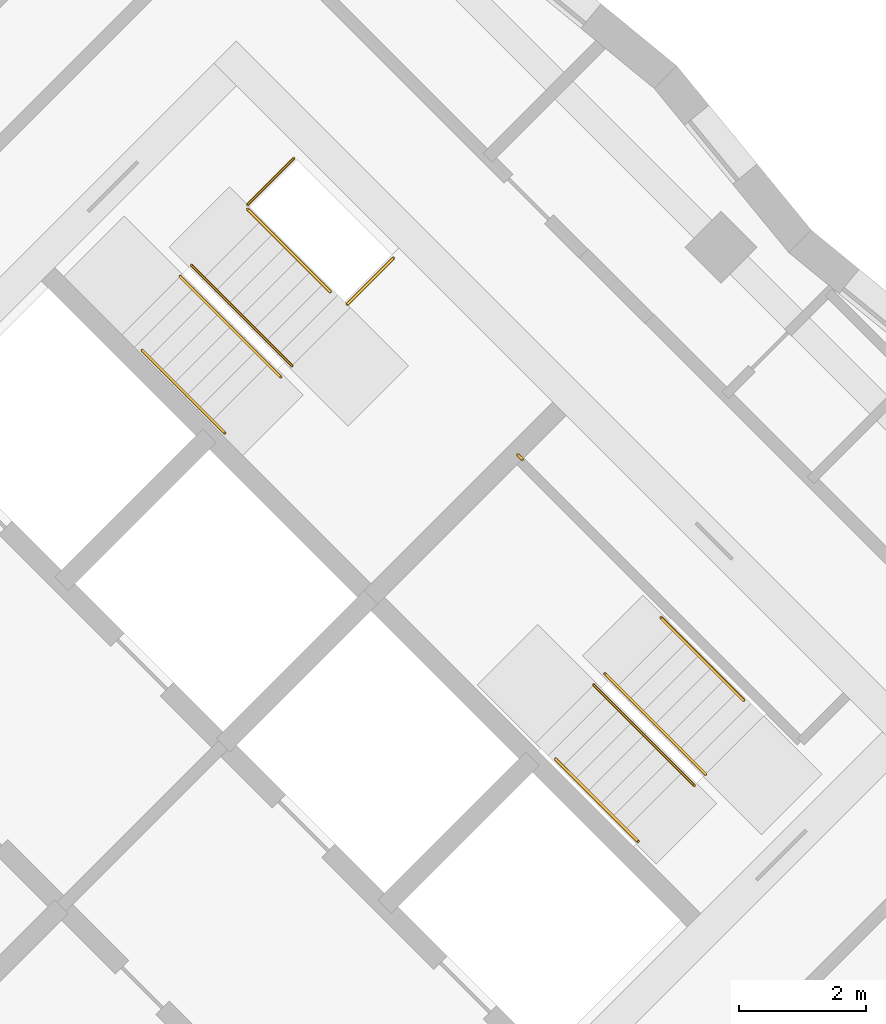
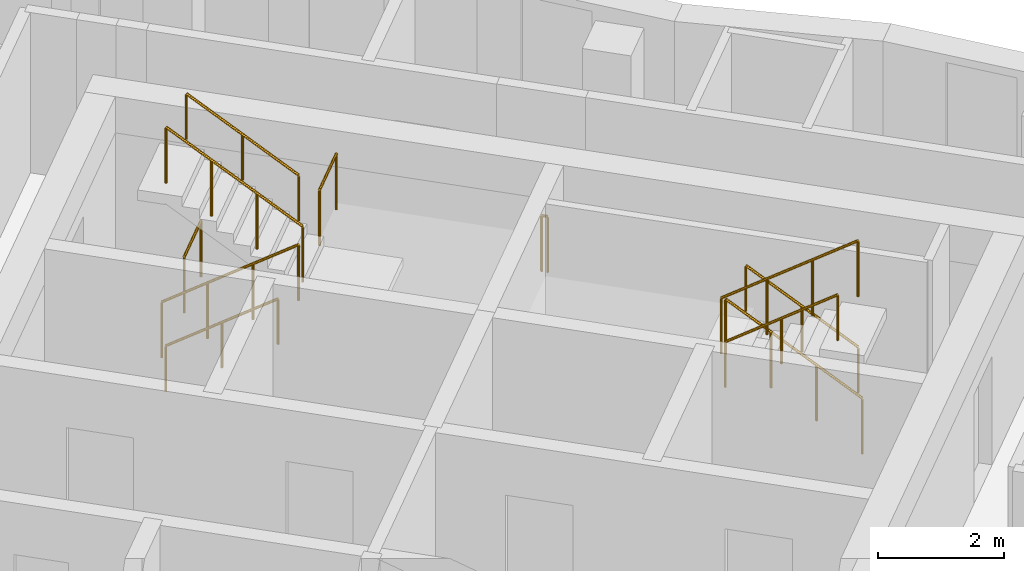
# One storey, part 11 of 11: 11 railings.
"""IFC4 building model written with IfcOpenShell, lengths in metres."""

from ifc_helpers import new_model, si_unit, direction, frame, origin, origin_2d, place, context, subcontext, project, spatial, circle, extrude, material, type_object, element, save


model = new_model("IFC4")

# Units and contexts
model_context = context("Model", 3, precision=1e-05, world=origin(), true_north=direction((0.0, 1.0)))
body_context = subcontext(model_context, "Body", "Model", "MODEL_VIEW")
ifc_project = project(units=[si_unit("LENGTHUNIT", "METRE"), si_unit("AREAUNIT", "SQUARE_METRE"), si_unit("VOLUMEUNIT", "CUBIC_METRE"), si_unit("PLANEANGLEUNIT", "RADIAN"), si_unit("MASSUNIT", "GRAM", prefix="KILO")], contexts=[model_context])

# Site, building, storey
site_placement = place(None, origin())
site = spatial("IfcSite", under=ifc_project, at=site_placement, CompositionType="ELEMENT")
building_placement = place(site_placement, origin())
building = spatial("IfcBuilding", under=site, at=building_placement, Name="Windrow Commons", CompositionType="ELEMENT")
storey_placement = place(building_placement, frame((0.0, 0.0, 193.0)))
storey = spatial("IfcBuildingStorey", under=building, at=storey_placement, Name="L52", CompositionType="ELEMENT", Elevation=193.0)

# Railings
ifc_material_1 = material(Name="Steel S355", Category="steel")
railing_type_1 = type_object("IfcRailingType", Name="Core stair guard 1100", PredefinedType="GUARDRAIL", material=ifc_material_1)
railing_1_placement = place(storey_placement, frame((85.9529, 56.2669, 0.1889)))
element("IfcRailing", 1, at=railing_1_placement, inside=storey, type_object=railing_type_1, Name="L52 ST-B1 stair guard 1", PredefinedType="GUARDRAIL", context=body_context, shape_type="SweptSolid", body=[
    extrude(circle(Radius=0.024, at=origin_2d()), frame((0.0, 0.0, 1.076), z_axis=(0.5861914914, -0.5861914914, 0.5592486664), x_axis=(0.7071067812, 0.7071067812, 0.0)), (0.0, 0.0, 1.0), 2.702),
    extrude(circle(Radius=0.021, at=origin_2d()), origin(), (0.0, 0.0, 1.0), 1.052),
    extrude(circle(Radius=0.021, at=origin_2d()), frame((0.528, -0.528, 0.5037)), (0.0, 0.0, 1.0), 1.052),
    extrude(circle(Radius=0.021, at=origin_2d()), frame((1.0559, -1.0559, 1.0074)), (0.0, 0.0, 1.0), 1.052),
    extrude(circle(Radius=0.021, at=origin_2d()), frame((1.5839, -1.5839, 1.5111)), (0.0, 0.0, 1.0), 1.052),
])
railing_2_placement = place(storey_placement, frame((87.7136, 54.8597, 1.8889)))
element("IfcRailing", 2, at=railing_2_placement, inside=storey, type_object=railing_type_1, Name="L52 ST-B1 stair guard 2", PredefinedType="GUARDRAIL", context=body_context, shape_type="SweptSolid", body=[
    extrude(circle(Radius=0.024, at=origin_2d()), frame((0.0, 0.0, 1.076), z_axis=(-0.5862030657, 0.5862030657, 0.5592244018), x_axis=(-0.7071067812, -0.7071067812, 0.0)), (0.0, 0.0, 1.0), 2.7021),
    extrude(circle(Radius=0.021, at=origin_2d()), origin(), (0.0, 0.0, 1.0), 1.052),
    extrude(circle(Radius=0.021, at=origin_2d()), frame((-0.528, 0.528, 0.5037)), (0.0, 0.0, 1.0), 1.052),
    extrude(circle(Radius=0.021, at=origin_2d()), frame((-1.056, 1.056, 1.0074)), (0.0, 0.0, 1.0), 1.052),
    extrude(circle(Radius=0.021, at=origin_2d()), frame((-1.584, 1.584, 1.5111)), (0.0, 0.0, 1.0), 1.052),
])
railing_3_placement = place(storey_placement, frame((87.0135, 57.3982, 0.0)))
element("IfcRailing", 3, at=railing_3_placement, inside=storey, type_object=railing_type_1, Name="L52 ST-B1 stair guard 3", PredefinedType="GUARDRAIL", context=body_context, shape_type="SweptSolid", body=[
    extrude(circle(Radius=0.024, at=origin_2d()), frame((0.0, 0.0, 1.076), z_axis=(0.7070582378, 0.7071553212, 0.0), x_axis=(-0.7071553212, 0.7070582378, 0.0)), (0.0, 0.0, 1.0), 1.03),
    extrude(circle(Radius=0.021, at=origin_2d()), origin(), (0.0, 0.0, 1.0), 1.052),
    extrude(circle(Radius=0.021, at=origin_2d()), frame((0.7283, 0.7284, 0.0)), (0.0, 0.0, 1.0), 1.052),
])
railing_4_placement = place(storey_placement, frame((88.5833, 55.8285, 1.7)))
element("IfcRailing", 4, at=railing_4_placement, inside=storey, type_object=railing_type_1, Name="L52 ST-B1 stair guard 4", PredefinedType="GUARDRAIL", context=body_context, shape_type="SweptSolid", body=[
    extrude(circle(Radius=0.024, at=origin_2d()), frame((0.0, 0.0, 1.076), z_axis=(0.7071067812, 0.7071067812, 0.0), x_axis=(-0.7071067812, 0.7071067812, 0.0)), (0.0, 0.0, 1.0), 1.03),
    extrude(circle(Radius=0.021, at=origin_2d()), origin(), (0.0, 0.0, 1.0), 1.052),
    extrude(circle(Radius=0.021, at=origin_2d()), frame((0.7283, 0.7283, 0.0)), (0.0, 0.0, 1.0), 1.052),
])
railing_5_placement = place(storey_placement, frame((94.2296, 48.4215, 0.1889)))
element("IfcRailing", 5, at=railing_5_placement, inside=storey, type_object=railing_type_1, Name="L52 ST-B2 stair guard 1", PredefinedType="GUARDRAIL", context=body_context, shape_type="SweptSolid", body=[
    extrude(circle(Radius=0.024, at=origin_2d()), frame((0.0, 0.0, 1.076), z_axis=(-0.5862157828, 0.5861787742, 0.5592365337), x_axis=(-0.7070844598, -0.7071291018, 0.0)), (0.0, 0.0, 1.0), 2.7021),
    extrude(circle(Radius=0.021, at=origin_2d()), origin(), (0.0, 0.0, 1.0), 1.052),
    extrude(circle(Radius=0.021, at=origin_2d()), frame((-0.528, 0.528, 0.5037)), (0.0, 0.0, 1.0), 1.052),
    extrude(circle(Radius=0.021, at=origin_2d()), frame((-1.056, 1.0559, 1.0074)), (0.0, 0.0, 1.0), 1.052),
    extrude(circle(Radius=0.021, at=origin_2d()), frame((-1.584, 1.5839, 1.5111)), (0.0, 0.0, 1.0), 1.052),
])
railing_6_placement = place(storey_placement, frame((92.4689, 49.8287, 1.8889)))
element("IfcRailing", 6, at=railing_6_placement, inside=storey, type_object=railing_type_1, Name="L52 ST-B2 stair guard 2", PredefinedType="GUARDRAIL", context=body_context, shape_type="SweptSolid", body=[
    extrude(circle(Radius=0.024, at=origin_2d()), frame((0.0, 0.0, 1.076), z_axis=(0.5861787742, -0.5862157828, 0.5592365337), x_axis=(0.7071291018, 0.7070844598, 0.0)), (0.0, 0.0, 1.0), 2.7021),
    extrude(circle(Radius=0.021, at=origin_2d()), origin(), (0.0, 0.0, 1.0), 1.052),
    extrude(circle(Radius=0.021, at=origin_2d()), frame((0.528, -0.528, 0.5037)), (0.0, 0.0, 1.0), 1.052),
    extrude(circle(Radius=0.021, at=origin_2d()), frame((1.0559, -1.056, 1.0074)), (0.0, 0.0, 1.0), 1.052),
    extrude(circle(Radius=0.021, at=origin_2d()), frame((1.5839, -1.584, 1.5111)), (0.0, 0.0, 1.0), 1.052),
])
railing_7_placement = place(storey_placement, frame((91.3446, 53.3854, 1.7)))
element("IfcRailing", 7, at=railing_7_placement, inside=storey, type_object=railing_type_1, Name="L52 ST-B2 stair guard 3", PredefinedType="GUARDRAIL", context=body_context, shape_type="SweptSolid", body=[
    extrude(circle(Radius=0.024, at=origin_2d()), frame((0.0, 0.0, 1.076), z_axis=(-0.7076063266, 0.7066068826, 0.0), x_axis=(-0.7066068826, -0.7076063266, 0.0)), (0.0, 0.0, 1.0), 0.1001),
    extrude(circle(Radius=0.021, at=origin_2d()), origin(), (0.0, 0.0, 1.0), 1.052),
    extrude(circle(Radius=0.021, at=origin_2d()), frame((-0.0708, 0.0707, 0.0)), (0.0, 0.0, 1.0), 1.052),
])
ifc_material_2 = material(Name="Steel S355", Category="steel")
railing_type_2 = type_object("IfcRailingType", Name="Core stair handrail 900", PredefinedType="HANDRAIL", material=ifc_material_2)
railing_8_placement = place(storey_placement, frame((85.3518, 55.1001, 0.4587)))
element("IfcRailing", 8, at=railing_8_placement, inside=storey, type_object=railing_type_2, Name="L52 ST-B1 stair handrail 1", PredefinedType="HANDRAIL", context=body_context, shape_type="SweptSolid", body=[
    extrude(circle(Radius=0.024, at=origin_2d()), frame((0.0, 0.0, 0.876), z_axis=(0.586206706, -0.5861616513, 0.5592639952), x_axis=(0.7070796062, 0.7071339551, 0.0)), (0.0, 0.0, 1.0), 2.2195),
    extrude(circle(Radius=0.021, at=origin_2d()), origin(), (0.0, 0.0, 1.0), 0.852),
    extrude(circle(Radius=0.021, at=origin_2d()), frame((0.6506, -0.6505, 0.6206)), (0.0, 0.0, 1.0), 0.852),
    extrude(circle(Radius=0.021, at=origin_2d()), frame((1.3011, -1.301, 1.2413)), (0.0, 0.0, 1.0), 0.852),
])
for number, where, name in (
    (9, (88.3146, 56.0265, 2.1587), "L52 ST-B1 stair handrail 2"),
    (10, (94.8306, 49.5883, 0.4587), "L52 ST-B2 stair handrail 1"),
):
    element("IfcRailing", number, at=place(storey_placement, frame(where)), inside=storey, type_object=railing_type_2, Name=name, PredefinedType="HANDRAIL", context=body_context, shape_type="SweptSolid", body=[
        extrude(circle(Radius=0.024, at=origin_2d()), frame((0.0, 0.0, 0.876), z_axis=(-0.586206706, 0.5861616513, 0.5592639952), x_axis=(-0.7070796062, -0.7071339551, 0.0)), (0.0, 0.0, 1.0), 2.2195),
        extrude(circle(Radius=0.021, at=origin_2d()), origin(), (0.0, 0.0, 1.0), 0.852),
        extrude(circle(Radius=0.021, at=origin_2d()), frame((-0.6506, 0.6505, 0.6206)), (0.0, 0.0, 1.0), 0.852),
        extrude(circle(Radius=0.021, at=origin_2d()), frame((-1.3011, 1.301, 1.2413)), (0.0, 0.0, 1.0), 0.852),
    ])
railing_9_placement = place(storey_placement, frame((91.8678, 48.6619, 2.1587)))
element("IfcRailing", 11, at=railing_9_placement, inside=storey, type_object=railing_type_2, Name="L52 ST-B2 stair handrail 2", PredefinedType="HANDRAIL", context=body_context, shape_type="SweptSolid", body=[
    extrude(circle(Radius=0.024, at=origin_2d()), frame((0.0, 0.0, 0.876), z_axis=(0.586206706, -0.5861616513, 0.5592639952), x_axis=(0.7070796062, 0.7071339551, 0.0)), (0.0, 0.0, 1.0), 2.2195),
    extrude(circle(Radius=0.021, at=origin_2d()), origin(), (0.0, 0.0, 1.0), 0.852),
    extrude(circle(Radius=0.021, at=origin_2d()), frame((0.6505, -0.6505, 0.6206)), (0.0, 0.0, 1.0), 0.852),
    extrude(circle(Radius=0.021, at=origin_2d()), frame((1.3011, -1.301, 1.2413)), (0.0, 0.0, 1.0), 0.852),
])

save(model, "model.ifc")
